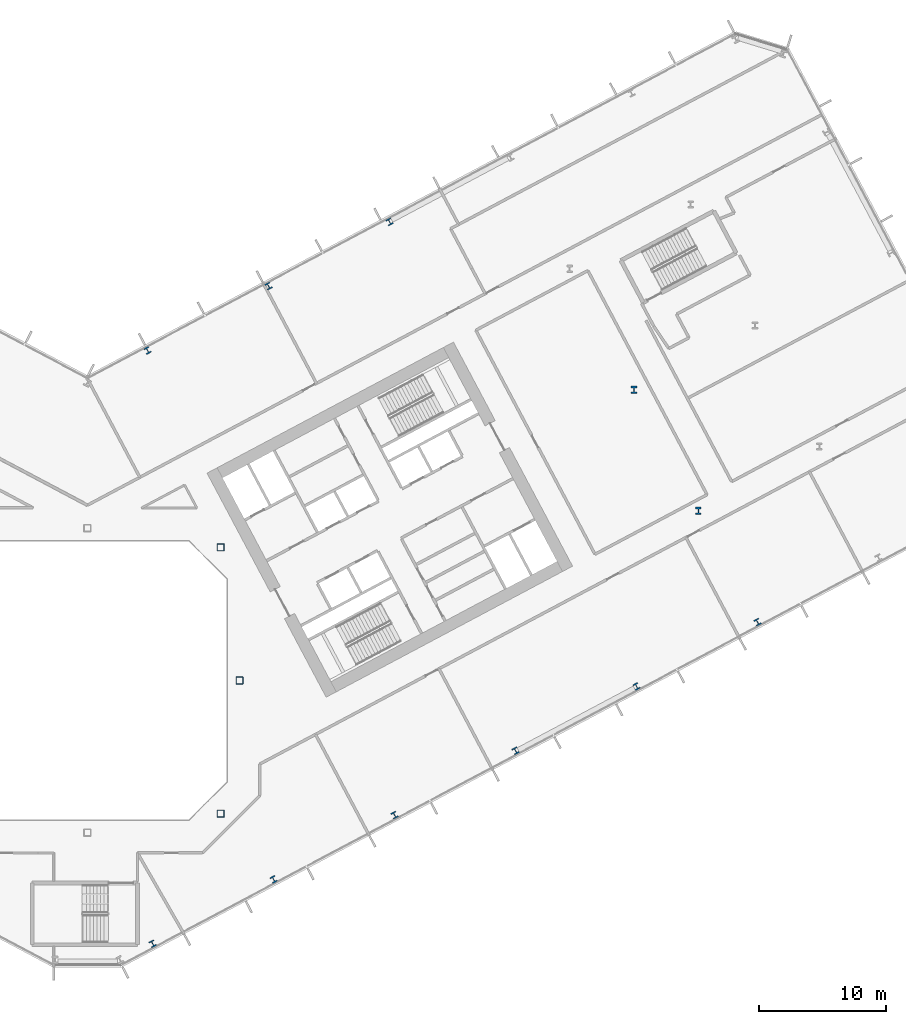
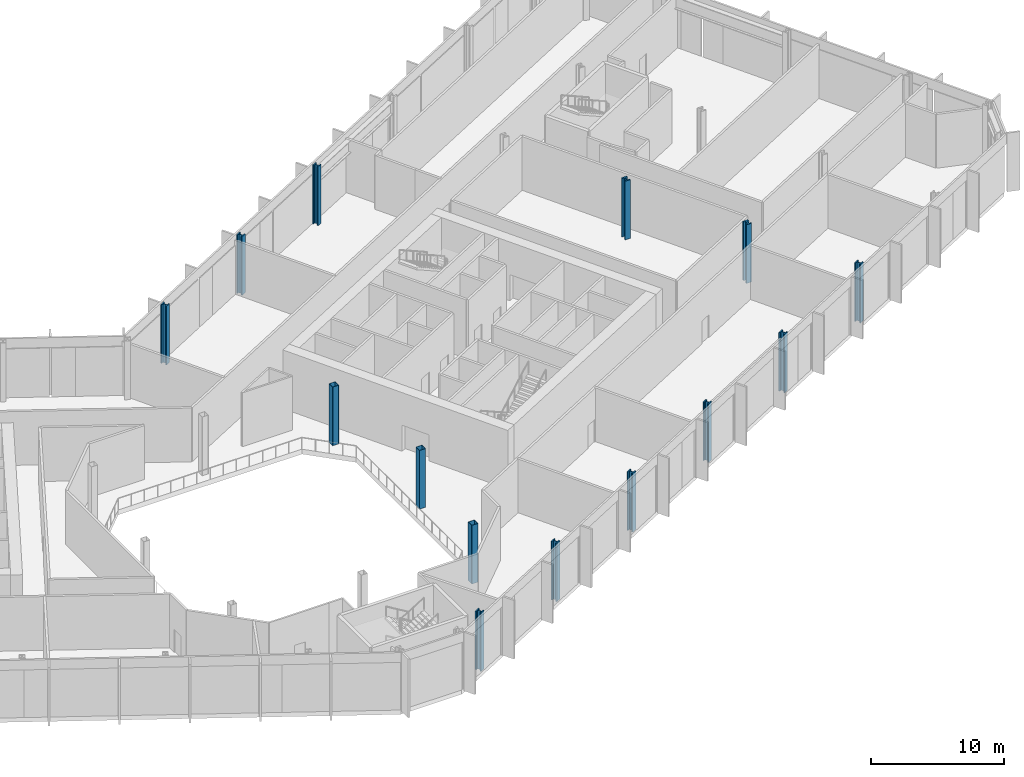
# One storey, part 3 of 31: 14 columns.
"""IFC4 building model written with IfcOpenShell, lengths in metres."""

import ifcopenshell
import ifcopenshell.guid

model = None  # the IFC model being written
_history = None  # IfcOwnerHistory: only IFC2X3 demands one
_inside = {}  # id of a spatial element -> (the spatial element, [elements in it])
_under = {}  # id of a project, library or spatial element -> (it, [spatial elements below it])
_declared = {}  # id of a project -> (the project, [libraries it declares])
_typed = {}  # id of a type object -> (the type object, [elements of that type])
_made_of = {}  # id of a material, layer set ... -> (it, [elements and type objects made of it])


def new_model(schema):
    """Start an empty IFC model of exactly this schema.

    Asked for "IFC4X3", IfcOpenShell would pick the latest addendum, in which some entities
    have other attributes; the version numbers below select the first issue.
    IFC2X3 requires an IfcOwnerHistory on every rooted entity: one is made here for all.
    """
    global model, _history
    if schema == "IFC4X3":
        model = ifcopenshell.file(schema_version=(4, 3, 0, 0))
    else:
        model = ifcopenshell.file(schema=schema)
    _inside.clear()
    _under.clear()
    _declared.clear()
    _typed.clear()
    _made_of.clear()
    _history = None
    if model.schema == "IFC2X3":
        org = make("IfcOrganization", Name="unknown")
        user = make(
            "IfcPersonAndOrganization",
            ThePerson=make("IfcPerson", FamilyName="unknown"),
            TheOrganization=org,
        )
        app = make(
            "IfcApplication",
            ApplicationDeveloper=org,
            Version="unknown",
            ApplicationFullName="unknown",
            ApplicationIdentifier="unknown",
        )
        _history = make(
            "IfcOwnerHistory",
            OwningUser=user,
            OwningApplication=app,
            ChangeAction="ADDED",
            CreationDate=0,
        )
    return model


def make(cls, **values):
    """One entity of the class cls with the attributes given. An attribute that is None is left unset."""
    return model.create_entity(
        cls, **{name: value for name, value in values.items() if value is not None}
    )


def rooted(cls, **values):
    """An entity with a GlobalId (a new one), such as an element, a storey or a relation."""
    return make(cls, GlobalId=ifcopenshell.guid.new(), OwnerHistory=_history, **values)


def si_unit(unit_type, name, prefix=None):
    """IfcSIUnit, for example si_unit("LENGTHUNIT", "METRE", prefix="MILLI")."""
    return make("IfcSIUnit", UnitType=unit_type, Prefix=prefix, Name=name)


def assignment(units):
    """IfcUnitAssignment: the units of a project."""
    return None if units is None else make("IfcUnitAssignment", Units=units)


def point(xyz):
    """IfcCartesianPoint."""
    return None if xyz is None else make("IfcCartesianPoint", Coordinates=xyz)


def direction(xyz):
    """IfcDirection."""
    return None if xyz is None else make("IfcDirection", DirectionRatios=xyz)


def frame(location, z_axis=None, x_axis=None):
    """IfcAxis2Placement3D, a coordinate frame: its origin and axes. An axis left out is left unset."""
    return make(
        "IfcAxis2Placement3D",
        Location=point(location),
        Axis=direction(z_axis),
        RefDirection=direction(x_axis),
    )


def frame_2d(location, x_axis=None):
    """IfcAxis2Placement2D, a coordinate frame in the plane: its origin and x axis."""
    return make(
        "IfcAxis2Placement2D", Location=point(location), RefDirection=direction(x_axis)
    )


def origin():
    """The frame at (0, 0, 0) with its axes left unset."""
    return frame((0.0, 0.0, 0.0))


def origin_2d():
    """The frame at (0, 0) in the plane with its x axis left unset."""
    return frame_2d((0.0, 0.0))


def place(relative_to, where):
    """IfcLocalPlacement: puts the frame where relative to a parent placement (None: the world)."""
    return make(
        "IfcLocalPlacement", PlacementRelTo=relative_to, RelativePlacement=where
    )


def context(
    kind, dimensions, precision=None, world=None, true_north=None, identifier=None
):
    """IfcGeometricRepresentationContext, for example the 3D "Model" context."""
    return make(
        "IfcGeometricRepresentationContext",
        ContextIdentifier=identifier,
        ContextType=kind,
        CoordinateSpaceDimension=dimensions,
        Precision=precision,
        WorldCoordinateSystem=world,
        TrueNorth=true_north,
    )


def subcontext(parent, identifier, kind, view, scale=None):
    """IfcGeometricRepresentationSubContext, for example "Body" below "Model"."""
    return make(
        "IfcGeometricRepresentationSubContext",
        ContextIdentifier=identifier,
        ContextType=kind,
        ParentContext=parent,
        TargetScale=scale,
        TargetView=view,
    )


def project(units=None, contexts=None):
    """IfcProject with its units and contexts."""
    return rooted(
        "IfcProject",
        Name="project",
        RepresentationContexts=contexts,
        UnitsInContext=assignment(units),
    )


def spatial(cls, under=None, at=None, **own):
    """A site, building, storey or space (cls), placed at a placement, below another one or the project."""
    s = rooted(cls, ObjectPlacement=at, **own)
    if under is not None:
        _under.setdefault(under.id(), (under, []))[1].append(s)
    return s


def profile(cls, at=None, kind="AREA", **sizes):
    """A parametric profile (cls). Its sizes go by their IFC names, for example OverallWidth=200.0."""
    return make(cls, ProfileType=kind, Position=at, **sizes)


def hollow_rectangle(**sizes):
    """IfcRectangleHollowProfileDef."""
    return profile("IfcRectangleHollowProfileDef", **sizes)


def i_section(**sizes):
    """IfcIShapeProfileDef."""
    return profile("IfcIShapeProfileDef", **sizes)


def extrude(swept, where, along, depth):
    """IfcExtrudedAreaSolid: the profile swept, set in the frame where, extruded along a direction by depth."""
    return make(
        "IfcExtrudedAreaSolid",
        SweptArea=swept,
        Position=where,
        ExtrudedDirection=direction(along),
        Depth=depth,
    )


def shape(context_of_items, identifier, shape_type, items):
    """IfcShapeRepresentation: the items that make up one representation, for example the "Body"."""
    return make(
        "IfcShapeRepresentation",
        ContextOfItems=context_of_items,
        RepresentationIdentifier=identifier,
        RepresentationType=shape_type,
        Items=items,
    )


def material(Name=None, Category=None):
    """IfcMaterial."""
    return make("IfcMaterial", Name=Name, Category=Category)


def material_profile(
    of_material, cross_section, Name=None, Category=None, Priority=None
):
    """IfcMaterialProfile: a cross section and its material."""
    return make(
        "IfcMaterialProfile",
        Name=Name,
        Material=of_material,
        Profile=cross_section,
        Priority=Priority,
        Category=Category,
    )


def profile_set(profiles, Name=None, composite=None):
    """IfcMaterialProfileSet."""
    return make(
        "IfcMaterialProfileSet",
        Name=Name,
        MaterialProfiles=profiles,
        CompositeProfile=composite,
    )


def made_of(thing, what):
    """Note that an element or type object is made of a material, layer set ...; save() writes the relation."""
    if what is not None:
        _made_of.setdefault(what.id(), (what, []))[1].append(thing)
    return thing


def type_object(cls, material=None, **own):
    """A type object (cls), such as IfcWallType, which elements share."""
    return made_of(rooted(cls, **own), material)


def element(
    cls,
    number,
    at=None,
    inside=None,
    cuts=None,
    type_object=None,
    material=None,
    context=None,
    identifier="Body",
    shape_type=None,
    held_by="IfcProductDefinitionShape",
    body=None,
    shapes=None,
    **own,
):
    """One element of the class cls, such as IfcWall. Its Tag is "e" and its number.

    at: its placement. inside: the storey or other place that contains it. cuts: it is an
    opening in that element (IfcRelVoidsElement). A single representation is given by context,
    identifier, shape_type and body (its items); several are given by shapes. held_by: the class
    of the entity that holds the representations. save() writes the other relations.
    """
    e = rooted(cls, Tag="e%d" % number, ObjectPlacement=at, **own)
    if body is not None:
        shapes = [shape(context, identifier, shape_type, body)]
    if shapes is not None:
        e.Representation = make(held_by, Representations=shapes)
    if inside is not None:
        _inside.setdefault(inside.id(), (inside, []))[1].append(e)
    if cuts is not None:
        rooted(
            "IfcRelVoidsElement", RelatingBuildingElement=cuts, RelatedOpeningElement=e
        )
    if type_object is not None:
        _typed.setdefault(type_object.id(), (type_object, []))[1].append(e)
    return made_of(e, material)


def aggregate(whole, parts):
    """IfcRelAggregates: a whole, such as a stair, and the parts it consists of."""
    return rooted("IfcRelAggregates", RelatingObject=whole, RelatedObjects=parts)


def save(model, path):
    """Write the relations noted so far, then the file.

    IfcRelAggregates (storeys below a building ...), IfcRelContainedInSpatialStructure (elements
    in a storey), IfcRelDefinesByType, IfcRelAssociatesMaterial and IfcRelDeclares: one each for
    every whole, place, type object, material and project.
    """
    for whole, parts in _under.values():
        aggregate(whole, parts)
    for where, things in _inside.values():
        rooted(
            "IfcRelContainedInSpatialStructure",
            RelatedElements=things,
            RelatingStructure=where,
        )
    for kind, things in _typed.values():
        rooted("IfcRelDefinesByType", RelatedObjects=things, RelatingType=kind)
    for what, things in _made_of.values():
        rooted("IfcRelAssociatesMaterial", RelatedObjects=things, RelatingMaterial=what)
    for by, libraries in _declared.values():
        rooted("IfcRelDeclares", RelatingContext=by, RelatedDefinitions=libraries)
    model.write(path)


model = new_model("IFC4")

# Units and contexts
model_context = context("Model", 3, precision=1e-05, world=origin(), true_north=direction((0.0, 1.0)))
body_context = subcontext(model_context, "Body", "Model", "MODEL_VIEW")
ifc_project = project(units=[si_unit("LENGTHUNIT", "METRE"), si_unit("AREAUNIT", "SQUARE_METRE"), si_unit("VOLUMEUNIT", "CUBIC_METRE"), si_unit("PLANEANGLEUNIT", "RADIAN"), si_unit("MASSUNIT", "GRAM", prefix="KILO")], contexts=[model_context])

# Site, building, storey
site_placement = place(None, origin())
site = spatial("IfcSite", under=ifc_project, at=site_placement, CompositionType="ELEMENT")
building_placement = place(site_placement, origin())
building = spatial("IfcBuilding", under=site, at=building_placement, Name="Cormorant Relay Tower", CompositionType="ELEMENT")
storey_placement = place(building_placement, frame((0.0, 0.0, 33.800048828125)))
storey = spatial("IfcBuildingStorey", under=building, at=storey_placement, Name="L06", CompositionType="ELEMENT", Elevation=33.800048828125)

# Columns
ifc_material_1 = material(Name="Steel ASTM A1085 Grade A (Fy 345 MPa)", Category="steel")
ifc_material_profile_1 = material_profile(ifc_material_1, hollow_rectangle(XDim=0.558837890625, YDim=0.558837890625, WallThickness=0.023681640625, InnerFilletRadius=0.01171875, OuterFilletRadius=0.035400390625, at=origin_2d()), Name="HSS559x559x24")
ifc_profile_set_1 = profile_set([ifc_material_profile_1], Name="Steel ASTM A1085 Grade A (Fy 345 MPa)")
column_type_1 = type_object("IfcColumnType", Name="Column HSS559x559x24", PredefinedType="COLUMN", material=ifc_profile_set_1)
for number, where, z_axis, x_axis, name in (
    (1, (10.5, -10.5, 0.0), (0.0, 0.0, 1.0), (1.0, 0.0, 0.0), "Column L06-010"),
    (2, (12.0, 0.0, 0.0), (0.0, 0.0, 1.0), (1.0, 0.0, 0.0), "Column L06-016"),
    (3, (10.5, 10.5, 0.0), (0.0, 0.0, 1.0), (1.0, 0.0, 0.0), "Column L06-023"),
):
    element("IfcColumn", number, at=place(storey_placement, frame(where, z_axis=z_axis, x_axis=x_axis)), inside=storey, type_object=column_type_1, Name=name, PredefinedType="COLUMN", context=body_context, shape_type="SweptSolid", body=[
        extrude(hollow_rectangle(XDim=0.558837890625, YDim=0.558837890625, WallThickness=0.023681640625, InnerFilletRadius=0.01171875, OuterFilletRadius=0.035400390625, at=origin_2d()), origin(), (0.0, 0.0, 1.0), 5.39990234375),
    ])
ifc_material_2 = material(Name="Steel ASTM A992 (Fy 345 MPa)", Category="steel")
ifc_material_profile_2 = material_profile(ifc_material_2, i_section(OverallWidth=0.45458984375, OverallDepth=0.569091796875, WebThickness=0.077880859375, FlangeThickness=0.124755859375, FilletRadius=0.015380859375, at=origin_2d()), Name="W360x1086")
ifc_profile_set_2 = profile_set([ifc_material_profile_2], Name="Steel ASTM A992 (Fy 345 MPa)")
column_type_2 = type_object("IfcColumnType", Name="Column W360x1086", PredefinedType="COLUMN", material=ifc_profile_set_2)
for number, where, z_axis, x_axis, name in (
    (4, (48.157958984375, 13.3740234375, 0.0), (0.0, 0.0, 1.0), (1.0, 0.0, 0.0), "Column L06-025"),
    (5, (43.087890625, 22.909912109375, 0.0), (0.0, 0.0, 1.0), (1.0, 0.0, 0.0), "Column L06-031"),
):
    element("IfcColumn", number, at=place(storey_placement, frame(where, z_axis=z_axis, x_axis=x_axis)), inside=storey, type_object=column_type_2, Name=name, PredefinedType="COLUMN", context=body_context, shape_type="SweptSolid", body=[
        extrude(i_section(OverallWidth=0.45458984375, OverallDepth=0.569091796875, WebThickness=0.077880859375, FlangeThickness=0.124755859375, FilletRadius=0.015380859375, at=origin_2d()), origin(), (0.0, 0.0, 1.0), 5.39990234375),
    ])
ifc_material_3 = material(Name="Steel ASTM A992 (Fy 345 MPa)", Category="steel")
ifc_material_profile_3 = material_profile(ifc_material_3, i_section(OverallWidth=0.43701171875, OverallDepth=0.51318359375, WebThickness=0.060546875, FlangeThickness=0.096923828125, FilletRadius=0.015380859375, at=origin_2d()), Name="W360x818")
ifc_profile_set_3 = profile_set([ifc_material_profile_3], Name="Steel ASTM A992 (Fy 345 MPa)")
column_type_3 = type_object("IfcColumnType", Name="Column W360x818", PredefinedType="COLUMN", material=ifc_profile_set_3)
for number, where, z_axis, x_axis, name in (
    (6, (5.14599609375, -20.75390625, 0.0), (0.0, 0.0, 1.0), (0.882947592859, 0.469471562786, 0.0), "Column L06-003"),
    (7, (14.680908203125, -15.68310546875, 0.0), (0.0, 0.0, 1.0), (0.882947592859, 0.469471562786, 0.0), "Column L06-005"),
    (8, (24.217041015625, -10.613037109375, 0.0), (0.0, 0.0, 1.0), (0.882947592859, 0.469471562786, 0.0), "Column L06-008"),
    (9, (33.7529296875, -5.54296875, 0.0), (0.0, 0.0, 1.0), (0.882947592859, 0.469471562786, 0.0), "Column L06-012"),
    (10, (43.2890625, -0.471923828125, 0.0), (0.0, 0.0, 1.0), (0.882947592859, 0.469471562786, 0.0), "Column L06-014"),
    (11, (52.824951171875, 4.597900390625, 0.0), (0.0, 0.0, 1.0), (0.882947592859, 0.469471562786, 0.0), "Column L06-019"),
    (12, (4.743896484375, 26.011962890625, 0.0), (0.0, 0.0, 1.0), (-0.882947592859, -0.469471562786, 0.0), "Column L06-035"),
    (13, (14.279052734375, 31.08203125, 0.0), (0.0, 0.0, 1.0), (-0.882947592859, -0.469471562786, 0.0), "Column L06-039"),
    (14, (23.81494140625, 36.152099609375, 0.0), (0.0, 0.0, 1.0), (-0.882947592859, -0.469471562786, 0.0), "Column L06-044"),
):
    element("IfcColumn", number, at=place(storey_placement, frame(where, z_axis=z_axis, x_axis=x_axis)), inside=storey, type_object=column_type_3, Name=name, PredefinedType="COLUMN", context=body_context, shape_type="SweptSolid", body=[
        extrude(i_section(OverallWidth=0.43701171875, OverallDepth=0.51318359375, WebThickness=0.060546875, FlangeThickness=0.096923828125, FilletRadius=0.015380859375, at=origin_2d()), origin(), (0.0, 0.0, 1.0), 5.39990234375),
    ])

save(model, "model.ifc")
